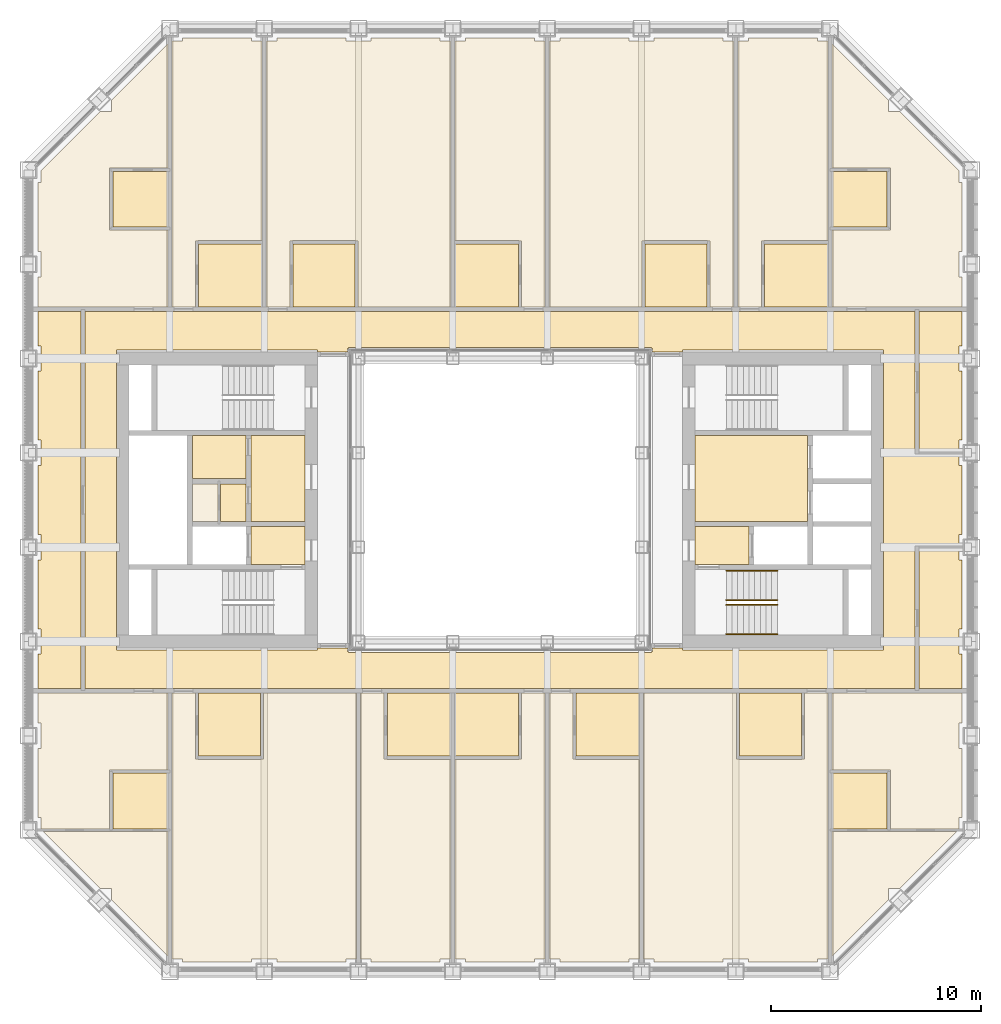
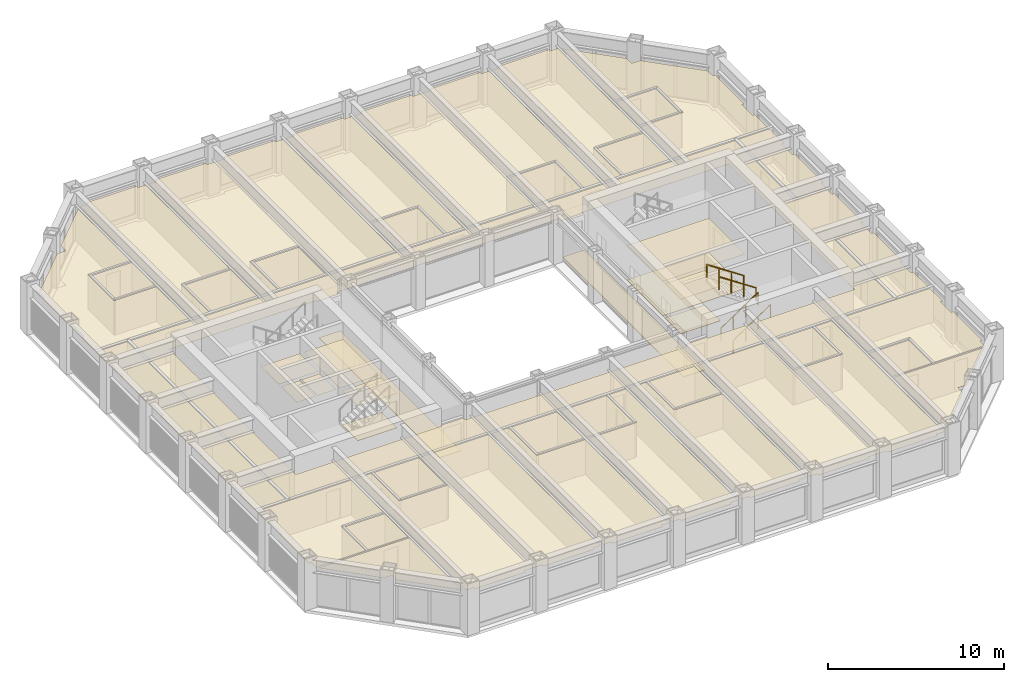
# One storey, part 16 of 17: 5 coverings, 4 railings.
"""IFC4 building model written with IfcOpenShell, lengths in metres."""

import ifcopenshell
import ifcopenshell.guid

model = None  # the IFC model being written
_history = None  # IfcOwnerHistory: only IFC2X3 demands one
_inside = {}  # id of a spatial element -> (the spatial element, [elements in it])
_under = {}  # id of a project, library or spatial element -> (it, [spatial elements below it])
_declared = {}  # id of a project -> (the project, [libraries it declares])
_typed = {}  # id of a type object -> (the type object, [elements of that type])
_made_of = {}  # id of a material, layer set ... -> (it, [elements and type objects made of it])


def new_model(schema):
    """Start an empty IFC model of exactly this schema.

    Asked for "IFC4X3", IfcOpenShell would pick the latest addendum, in which some entities
    have other attributes; the version numbers below select the first issue.
    IFC2X3 requires an IfcOwnerHistory on every rooted entity: one is made here for all.
    """
    global model, _history
    if schema == "IFC4X3":
        model = ifcopenshell.file(schema_version=(4, 3, 0, 0))
    else:
        model = ifcopenshell.file(schema=schema)
    _inside.clear()
    _under.clear()
    _declared.clear()
    _typed.clear()
    _made_of.clear()
    _history = None
    if model.schema == "IFC2X3":
        org = make("IfcOrganization", Name="unknown")
        user = make(
            "IfcPersonAndOrganization",
            ThePerson=make("IfcPerson", FamilyName="unknown"),
            TheOrganization=org,
        )
        app = make(
            "IfcApplication",
            ApplicationDeveloper=org,
            Version="unknown",
            ApplicationFullName="unknown",
            ApplicationIdentifier="unknown",
        )
        _history = make(
            "IfcOwnerHistory",
            OwningUser=user,
            OwningApplication=app,
            ChangeAction="ADDED",
            CreationDate=0,
        )
    return model


def make(cls, **values):
    """One entity of the class cls with the attributes given. An attribute that is None is left unset."""
    return model.create_entity(
        cls, **{name: value for name, value in values.items() if value is not None}
    )


def rooted(cls, **values):
    """An entity with a GlobalId (a new one), such as an element, a storey or a relation."""
    return make(cls, GlobalId=ifcopenshell.guid.new(), OwnerHistory=_history, **values)


def si_unit(unit_type, name, prefix=None):
    """IfcSIUnit, for example si_unit("LENGTHUNIT", "METRE", prefix="MILLI")."""
    return make("IfcSIUnit", UnitType=unit_type, Prefix=prefix, Name=name)


def assignment(units):
    """IfcUnitAssignment: the units of a project."""
    return None if units is None else make("IfcUnitAssignment", Units=units)


def point(xyz):
    """IfcCartesianPoint."""
    return None if xyz is None else make("IfcCartesianPoint", Coordinates=xyz)


def direction(xyz):
    """IfcDirection."""
    return None if xyz is None else make("IfcDirection", DirectionRatios=xyz)


def frame(location, z_axis=None, x_axis=None):
    """IfcAxis2Placement3D, a coordinate frame: its origin and axes. An axis left out is left unset."""
    return make(
        "IfcAxis2Placement3D",
        Location=point(location),
        Axis=direction(z_axis),
        RefDirection=direction(x_axis),
    )


def frame_2d(location, x_axis=None):
    """IfcAxis2Placement2D, a coordinate frame in the plane: its origin and x axis."""
    return make(
        "IfcAxis2Placement2D", Location=point(location), RefDirection=direction(x_axis)
    )


def origin():
    """The frame at (0, 0, 0) with its axes left unset."""
    return frame((0.0, 0.0, 0.0))


def origin_2d():
    """The frame at (0, 0) in the plane with its x axis left unset."""
    return frame_2d((0.0, 0.0))


def place(relative_to, where):
    """IfcLocalPlacement: puts the frame where relative to a parent placement (None: the world)."""
    return make(
        "IfcLocalPlacement", PlacementRelTo=relative_to, RelativePlacement=where
    )


def context(
    kind, dimensions, precision=None, world=None, true_north=None, identifier=None
):
    """IfcGeometricRepresentationContext, for example the 3D "Model" context."""
    return make(
        "IfcGeometricRepresentationContext",
        ContextIdentifier=identifier,
        ContextType=kind,
        CoordinateSpaceDimension=dimensions,
        Precision=precision,
        WorldCoordinateSystem=world,
        TrueNorth=true_north,
    )


def subcontext(parent, identifier, kind, view, scale=None):
    """IfcGeometricRepresentationSubContext, for example "Body" below "Model"."""
    return make(
        "IfcGeometricRepresentationSubContext",
        ContextIdentifier=identifier,
        ContextType=kind,
        ParentContext=parent,
        TargetScale=scale,
        TargetView=view,
    )


def project(units=None, contexts=None):
    """IfcProject with its units and contexts."""
    return rooted(
        "IfcProject",
        Name="project",
        RepresentationContexts=contexts,
        UnitsInContext=assignment(units),
    )


def spatial(cls, under=None, at=None, **own):
    """A site, building, storey or space (cls), placed at a placement, below another one or the project."""
    s = rooted(cls, ObjectPlacement=at, **own)
    if under is not None:
        _under.setdefault(under.id(), (under, []))[1].append(s)
    return s


def point_list(points):
    """IfcCartesianPointList2D or 3D."""
    cls = (
        "IfcCartesianPointList2D" if len(points[0]) == 2 else "IfcCartesianPointList3D"
    )
    return make(cls, CoordList=points)


def line(*indices):
    """IfcLineIndex: a straight run through numbered points of an indexed curve."""
    return model.create_entity("IfcLineIndex", indices)


def indexed_curve(points, segments=None, self_intersect=None):
    """IfcIndexedPolyCurve: lines and arcs through numbered points (the first is 1)."""
    return make(
        "IfcIndexedPolyCurve",
        Points=point_list(points),
        Segments=segments,
        SelfIntersect=self_intersect,
    )


def profile(cls, at=None, kind="AREA", **sizes):
    """A parametric profile (cls). Its sizes go by their IFC names, for example OverallWidth=200.0."""
    return make(cls, ProfileType=kind, Position=at, **sizes)


def circle(**sizes):
    """IfcCircleProfileDef."""
    return profile("IfcCircleProfileDef", **sizes)


def outline(outer, holes=None, kind="AREA"):
    """IfcArbitraryClosedProfileDef: a profile drawn as a closed curve; with holes, ...WithVoids."""
    if holes is None:
        return make("IfcArbitraryClosedProfileDef", ProfileType=kind, OuterCurve=outer)
    return make(
        "IfcArbitraryProfileDefWithVoids",
        ProfileType=kind,
        OuterCurve=outer,
        InnerCurves=holes,
    )


def extrude(swept, where, along, depth):
    """IfcExtrudedAreaSolid: the profile swept, set in the frame where, extruded along a direction by depth."""
    return make(
        "IfcExtrudedAreaSolid",
        SweptArea=swept,
        Position=where,
        ExtrudedDirection=direction(along),
        Depth=depth,
    )


def shape(context_of_items, identifier, shape_type, items):
    """IfcShapeRepresentation: the items that make up one representation, for example the "Body"."""
    return make(
        "IfcShapeRepresentation",
        ContextOfItems=context_of_items,
        RepresentationIdentifier=identifier,
        RepresentationType=shape_type,
        Items=items,
    )


def material(Name=None, Category=None):
    """IfcMaterial."""
    return make("IfcMaterial", Name=Name, Category=Category)


def layer(
    of_material, thickness, ventilated=None, Name=None, Category=None, Priority=None
):
    """IfcMaterialLayer: one layer of a wall or slab, of a material (None: an air gap)."""
    return make(
        "IfcMaterialLayer",
        Material=of_material,
        LayerThickness=thickness,
        IsVentilated=ventilated,
        Name=Name,
        Category=Category,
        Priority=Priority,
    )


def layer_set(layers, Name=None):
    """IfcMaterialLayerSet."""
    return make("IfcMaterialLayerSet", MaterialLayers=layers, LayerSetName=Name)


def made_of(thing, what):
    """Note that an element or type object is made of a material, layer set ...; save() writes the relation."""
    if what is not None:
        _made_of.setdefault(what.id(), (what, []))[1].append(thing)
    return thing


def type_object(cls, material=None, **own):
    """A type object (cls), such as IfcWallType, which elements share."""
    return made_of(rooted(cls, **own), material)


def element(
    cls,
    number,
    at=None,
    inside=None,
    cuts=None,
    type_object=None,
    material=None,
    context=None,
    identifier="Body",
    shape_type=None,
    held_by="IfcProductDefinitionShape",
    body=None,
    shapes=None,
    **own,
):
    """One element of the class cls, such as IfcWall. Its Tag is "e" and its number.

    at: its placement. inside: the storey or other place that contains it. cuts: it is an
    opening in that element (IfcRelVoidsElement). A single representation is given by context,
    identifier, shape_type and body (its items); several are given by shapes. held_by: the class
    of the entity that holds the representations. save() writes the other relations.
    """
    e = rooted(cls, Tag="e%d" % number, ObjectPlacement=at, **own)
    if body is not None:
        shapes = [shape(context, identifier, shape_type, body)]
    if shapes is not None:
        e.Representation = make(held_by, Representations=shapes)
    if inside is not None:
        _inside.setdefault(inside.id(), (inside, []))[1].append(e)
    if cuts is not None:
        rooted(
            "IfcRelVoidsElement", RelatingBuildingElement=cuts, RelatedOpeningElement=e
        )
    if type_object is not None:
        _typed.setdefault(type_object.id(), (type_object, []))[1].append(e)
    return made_of(e, material)


def aggregate(whole, parts):
    """IfcRelAggregates: a whole, such as a stair, and the parts it consists of."""
    return rooted("IfcRelAggregates", RelatingObject=whole, RelatedObjects=parts)


def save(model, path):
    """Write the relations noted so far, then the file.

    IfcRelAggregates (storeys below a building ...), IfcRelContainedInSpatialStructure (elements
    in a storey), IfcRelDefinesByType, IfcRelAssociatesMaterial and IfcRelDeclares: one each for
    every whole, place, type object, material and project.
    """
    for whole, parts in _under.values():
        aggregate(whole, parts)
    for where, things in _inside.values():
        rooted(
            "IfcRelContainedInSpatialStructure",
            RelatedElements=things,
            RelatingStructure=where,
        )
    for kind, things in _typed.values():
        rooted("IfcRelDefinesByType", RelatedObjects=things, RelatingType=kind)
    for what, things in _made_of.values():
        rooted("IfcRelAssociatesMaterial", RelatedObjects=things, RelatingMaterial=what)
    for by, libraries in _declared.values():
        rooted("IfcRelDeclares", RelatingContext=by, RelatedDefinitions=libraries)
    model.write(path)


model = new_model("IFC4")

# Units and contexts
model_context = context("Model", 3, precision=1e-05, world=origin(), true_north=direction((0.0, 1.0)))
body_context = subcontext(model_context, "Body", "Model", "MODEL_VIEW")
ifc_project = project(units=[si_unit("LENGTHUNIT", "METRE"), si_unit("AREAUNIT", "SQUARE_METRE"), si_unit("VOLUMEUNIT", "CUBIC_METRE"), si_unit("PLANEANGLEUNIT", "RADIAN"), si_unit("MASSUNIT", "GRAM", prefix="KILO")], contexts=[model_context])

# Site, building, storey
site_placement = place(None, origin())
site = spatial("IfcSite", under=ifc_project, at=site_placement, CompositionType="ELEMENT")
building_placement = place(site_placement, origin())
building = spatial("IfcBuilding", under=site, at=building_placement, Name="Msasa Ring Tower", CompositionType="ELEMENT")
storey_placement = place(building_placement, frame((0.0, 0.0, 150.800048828125)))
storey = spatial("IfcBuildingStorey", under=building, at=storey_placement, Name="L39", CompositionType="ELEMENT", Elevation=150.800048828125)

# Coverings
ifc_material_1 = material(Name="Gypsum plasterboard on a steel suspension grid", Category="steel")
ifc_layer_1 = layer(ifc_material_1, 0.014892578125)
ifc_layer_set_1 = layer_set([ifc_layer_1], Name="C1 SUSPENDED PLASTERBOARD CEILING 15")
covering_type_1 = type_object("IfcCoveringType", Name="C1 SUSPENDED PLASTERBOARD CEILING 15", PredefinedType="CEILING", material=ifc_layer_set_1)
covering_1_placement = place(storey_placement, frame((0.0, 0.0, 2.39990234375)))
element("IfcCovering", 1, at=covering_1_placement, inside=storey, type_object=covering_type_1, Name="Suspended Plasterboard Ceiling 15 circulation L39", PredefinedType="CEILING", context=body_context, shape_type="SweptSolid", body=[
    extrude(outline(indexed_curve([(19.799560546875, 2.199462890625), (21.8994140625, 2.199462890625), (21.8994140625, 1.6494140625), (22.049560546875, 1.6494140625), (22.049560546875, -1.6494140625), (21.8994140625, -1.6494140625), (21.8994140625, -2.199462890625), (19.799560546875, -2.199462890625), (19.799560546875, -8.99951171875), (-19.799560546875, -8.99951171875), (-19.799560546875, 8.99951171875), (19.799560546875, 8.99951171875)], segments=[line(1, 2, 3, 4, 5, 6, 7, 8, 9, 10, 11, 12, 1)], self_intersect=False), holes=[indexed_curve([(8.699462890625, -7.150390625), (18.300537109375, -7.150390625), (18.300537109375, 7.150390625), (8.699462890625, 7.150390625), (8.699462890625, 7.050537109375), (7.280029296875, 7.050537109375), (7.280517578125, 7.23046875), (7.22998046875, 7.23046875), (7.22998046875, 7.280029296875), (-7.22998046875, 7.280029296875), (-7.22998046875, 7.23046875), (-7.280517578125, 7.23046875), (-7.280029296875, 7.050537109375), (-8.699462890625, 7.050537109375), (-8.699462890625, 7.150390625), (-18.300537109375, 7.150390625), (-18.300537109375, -7.150390625), (-8.699462890625, -7.150390625), (-8.699462890625, -7.050537109375), (-7.280029296875, -7.050537109375), (-7.280517578125, -7.23046875), (-7.22998046875, -7.23046875), (-7.22998046875, -7.280029296875), (7.22998046875, -7.280029296875), (7.22998046875, -7.23046875), (7.280517578125, -7.23046875), (7.280029296875, -7.050537109375), (8.699462890625, -7.050537109375)], segments=[line(1, 2, 3, 4, 5, 6, 7, 8, 9, 10, 11, 12, 13, 14, 15, 16, 17, 18, 19, 20, 21, 22, 23, 24, 25, 26, 27, 28, 1)], self_intersect=False)]), origin(), (0.0, 0.0, 1.0), 0.01513671875),
    extrude(outline(indexed_curve([(-9.300537109375, -3.074462890625), (-11.87451171875, -3.074462890625), (-11.87451171875, -1.275390625), (-9.300537109375, -1.275390625)], segments=[line(1, 2, 3, 4, 1)], self_intersect=False)), origin(), (0.0, 0.0, 1.0), 0.01513671875),
    extrude(outline(indexed_curve([(11.87451171875, -3.074462890625), (9.300537109375, -3.074462890625), (9.300537109375, -1.275390625), (11.87451171875, -1.275390625)], segments=[line(1, 2, 3, 4, 1)], self_intersect=False)), origin(), (0.0, 0.0, 1.0), 0.01513671875),
    extrude(outline(indexed_curve([(14.674560546875, -1.0244140625), (9.300537109375, -1.0244140625), (9.300537109375, 3.074462890625), (14.674560546875, 3.074462890625)], segments=[line(1, 2, 3, 4, 1)], self_intersect=False)), origin(), (0.0, 0.0, 1.0), 0.01513671875),
])
covering_2_placement = place(storey_placement, frame((0.0, 0.0, 2.407958984375)))
element("IfcCovering", 2, at=covering_2_placement, inside=storey, type_object=covering_type_1, Name="Suspended Plasterboard Ceiling 15 L39", PredefinedType="CEILING", context=body_context, shape_type="SweptSolid", body=[
    extrude(outline(indexed_curve([(-22.049560546875, -11.8505859375), (-21.8994140625, -11.8505859375), (-21.8994140625, -10.6494140625), (-22.049560546875, -10.6494140625), (-22.049560546875, -9.200439453125), (-15.8505859375, -9.200439453125), (-15.8505859375, -12.869384765625), (-18.630615234375, -12.869384765625), (-18.630615234375, -15.694580078125), (-21.8994140625, -15.694580078125), (-21.8994140625, -15.1494140625), (-22.049560546875, -15.1494140625)], segments=[line(1, 2, 3, 4, 5, 6, 7, 8, 9, 10, 11, 12, 1)], self_intersect=False)), origin(), (0.0, 0.0, 1.0), 0.014892578125),
    extrude(outline(indexed_curve([(-18.630615234375, 12.869384765625), (-15.8505859375, 12.869384765625), (-15.8505859375, 9.200439453125), (-22.049560546875, 9.200439453125), (-22.049560546875, 10.6494140625), (-21.8994140625, 10.6494140625), (-21.8994140625, 11.8505859375), (-22.049560546875, 11.8505859375), (-22.049560546875, 15.1494140625), (-21.8994140625, 15.1494140625), (-21.8994140625, 15.71337890625), (-19.08837890625, 18.5244140625), (-18.5244140625, 18.5244140625), (-18.5244140625, 19.08837890625), (-15.8505859375, 21.762451171875), (-15.8505859375, 15.83056640625), (-18.630615234375, 15.83056640625)], segments=[line(1, 2, 3, 4, 5, 6, 7, 8, 9, 10, 11, 12, 13, 14, 15, 16, 17, 1)], self_intersect=False)), origin(), (0.0, 0.0, 1.0), 0.014892578125),
    extrude(outline(indexed_curve([(-18.5244140625, -19.08837890625), (-18.5244140625, -18.5244140625), (-19.08837890625, -18.5244140625), (-21.807373046875, -15.805419921875), (-15.8505859375, -15.805419921875), (-15.8505859375, -21.762451171875)], segments=[line(1, 2, 3, 4, 5, 6, 1)], self_intersect=False)), origin(), (0.0, 0.0, 1.0), 0.014892578125),
    extrude(outline(indexed_curve([(-14.525390625, -12.35009765625), (-14.39990234375, -12.3505859375), (-14.39990234375, -12.37548828125), (-11.39990234375, -12.37548828125), (-11.39990234375, -12.3505859375), (-11.2744140625, -12.35009765625), (-11.2744140625, -9.200439453125), (-6.8505859375, -9.200439453125), (-6.8505859375, -21.8994140625), (-7.3505859375, -21.8994140625), (-7.3505859375, -22.049560546875), (-10.6494140625, -22.049560546875), (-10.6494140625, -21.8994140625), (-11.8505859375, -21.8994140625), (-11.8505859375, -22.049560546875), (-15.1494140625, -22.049560546875), (-15.1494140625, -21.8994140625), (-15.6494140625, -21.8994140625), (-15.6494140625, -9.200439453125), (-14.525390625, -9.200439453125)], segments=[line(1, 2, 3, 4, 5, 6, 7, 8, 9, 10, 11, 12, 13, 14, 15, 16, 17, 18, 19, 20, 1)], self_intersect=False)), origin(), (0.0, 0.0, 1.0), 0.014892578125),
    extrude(outline(indexed_curve([(-14.39990234375, 12.3505859375), (-14.525390625, 12.35009765625), (-14.525390625, 9.200439453125), (-15.6494140625, 9.200439453125), (-15.6494140625, 21.8994140625), (-15.1494140625, 21.8994140625), (-15.1494140625, 22.049560546875), (-11.8505859375, 22.049560546875), (-11.8505859375, 21.8994140625), (-11.3505859375, 21.8994140625), (-11.3505859375, 12.37548828125), (-14.39990234375, 12.37548828125)], segments=[line(1, 2, 3, 4, 5, 6, 7, 8, 9, 10, 11, 12, 1)], self_intersect=False)), origin(), (0.0, 0.0, 1.0), 0.014892578125),
    extrude(outline(indexed_curve([(-14.674560546875, 0.7744140625), (-13.45556640625, 0.7744140625), (-13.45556640625, -1.0244140625), (-14.674560546875, -1.0244140625)], segments=[line(1, 2, 3, 4, 1)], self_intersect=False)), origin(), (0.0, 0.0, 1.0), 0.014892578125),
    extrude(outline(indexed_curve([(-6.89990234375, 12.3505859375), (-6.89990234375, 12.37548828125), (-9.89990234375, 12.37548828125), (-9.89990234375, 12.3505859375), (-10.025390625, 12.35009765625), (-10.025390625, 9.200439453125), (-11.1494140625, 9.200439453125), (-11.1494140625, 21.8994140625), (-10.6494140625, 21.8994140625), (-10.6494140625, 22.049560546875), (-7.3505859375, 22.049560546875), (-7.3505859375, 21.8994140625), (-6.1494140625, 21.8994140625), (-6.1494140625, 22.049560546875), (-2.8505859375, 22.049560546875), (-2.8505859375, 21.8994140625), (-2.3505859375, 21.8994140625), (-2.3505859375, 9.200439453125), (-6.7744140625, 9.200439453125), (-6.7744140625, 12.35009765625)], segments=[line(1, 2, 3, 4, 5, 6, 7, 8, 9, 10, 11, 12, 13, 14, 15, 16, 17, 18, 19, 20, 1)], self_intersect=False)), origin(), (0.0, 0.0, 1.0), 0.014892578125),
    extrude(outline(indexed_curve([(-6.1494140625, -22.049560546875), (-6.1494140625, -21.8994140625), (-6.6494140625, -21.8994140625), (-6.6494140625, -9.200439453125), (-5.525390625, -9.200439453125), (-5.525390625, -12.35009765625), (-5.39990234375, -12.3505859375), (-5.39990234375, -12.37548828125), (-2.3505859375, -12.37548828125), (-2.3505859375, -21.8994140625), (-2.8505859375, -21.8994140625), (-2.8505859375, -22.049560546875)], segments=[line(1, 2, 3, 4, 5, 6, 7, 8, 9, 10, 11, 12, 1)], self_intersect=False)), origin(), (0.0, 0.0, 1.0), 0.014892578125),
    extrude(outline(indexed_curve([(2.1494140625, -9.200439453125), (2.1494140625, -21.8994140625), (1.6494140625, -21.8994140625), (1.6494140625, -22.049560546875), (-1.6494140625, -22.049560546875), (-1.6494140625, -21.8994140625), (-2.1494140625, -21.8994140625), (-2.1494140625, -12.37548828125), (0.89990234375, -12.37548828125), (0.89990234375, -12.3505859375), (1.025390625, -12.35009765625), (1.025390625, -9.200439453125)], segments=[line(1, 2, 3, 4, 5, 6, 7, 8, 9, 10, 11, 12, 1)], self_intersect=False)), origin(), (0.0, 0.0, 1.0), 0.014892578125),
    extrude(outline(indexed_curve([(1.6494140625, 22.049560546875), (1.6494140625, 21.8994140625), (2.1494140625, 21.8994140625), (2.1494140625, 9.200439453125), (1.025390625, 9.200439453125), (1.025390625, 12.35009765625), (0.89990234375, 12.3505859375), (0.89990234375, 12.37548828125), (-2.1494140625, 12.37548828125), (-2.1494140625, 21.8994140625), (-1.6494140625, 21.8994140625), (-1.6494140625, 22.049560546875)], segments=[line(1, 2, 3, 4, 5, 6, 7, 8, 9, 10, 11, 12, 1)], self_intersect=False)), origin(), (0.0, 0.0, 1.0), 0.014892578125),
    extrude(outline(indexed_curve([(2.8505859375, -22.049560546875), (2.8505859375, -21.8994140625), (2.3505859375, -21.8994140625), (2.3505859375, -9.200439453125), (3.474609375, -9.200439453125), (3.474609375, -12.35009765625), (3.60009765625, -12.3505859375), (3.60009765625, -12.37548828125), (6.6494140625, -12.37548828125), (6.6494140625, -21.8994140625), (6.1494140625, -21.8994140625), (6.1494140625, -22.049560546875)], segments=[line(1, 2, 3, 4, 5, 6, 7, 8, 9, 10, 11, 12, 1)], self_intersect=False)), origin(), (0.0, 0.0, 1.0), 0.014892578125),
    extrude(outline(indexed_curve([(6.89990234375, 12.3505859375), (6.7744140625, 12.35009765625), (6.7744140625, 9.200439453125), (2.3505859375, 9.200439453125), (2.3505859375, 21.8994140625), (2.8505859375, 21.8994140625), (2.8505859375, 22.049560546875), (6.1494140625, 22.049560546875), (6.1494140625, 21.8994140625), (7.3505859375, 21.8994140625), (7.3505859375, 22.049560546875), (10.6494140625, 22.049560546875), (10.6494140625, 21.8994140625), (11.1494140625, 21.8994140625), (11.1494140625, 9.200439453125), (10.025390625, 9.200439453125), (10.025390625, 12.35009765625), (9.89990234375, 12.3505859375), (9.89990234375, 12.37548828125), (6.89990234375, 12.37548828125)], segments=[line(1, 2, 3, 4, 5, 6, 7, 8, 9, 10, 11, 12, 13, 14, 15, 16, 17, 18, 19, 20, 1)], self_intersect=False)), origin(), (0.0, 0.0, 1.0), 0.014892578125),
    extrude(outline(indexed_curve([(11.2744140625, -12.35009765625), (11.39990234375, -12.3505859375), (11.39990234375, -12.37548828125), (14.39990234375, -12.37548828125), (14.39990234375, -12.3505859375), (14.525390625, -12.35009765625), (14.525390625, -9.200439453125), (15.6494140625, -9.200439453125), (15.6494140625, -21.8994140625), (15.1494140625, -21.8994140625), (15.1494140625, -22.049560546875), (11.8505859375, -22.049560546875), (11.8505859375, -21.8994140625), (10.6494140625, -21.8994140625), (10.6494140625, -22.049560546875), (7.3505859375, -22.049560546875), (7.3505859375, -21.8994140625), (6.8505859375, -21.8994140625), (6.8505859375, -9.200439453125), (11.2744140625, -9.200439453125)], segments=[line(1, 2, 3, 4, 5, 6, 7, 8, 9, 10, 11, 12, 13, 14, 15, 16, 17, 18, 19, 20, 1)], self_intersect=False)), origin(), (0.0, 0.0, 1.0), 0.014892578125),
    extrude(outline(indexed_curve([(11.3505859375, 9.200439453125), (11.3505859375, 21.8994140625), (11.8505859375, 21.8994140625), (11.8505859375, 22.049560546875), (15.1494140625, 22.049560546875), (15.1494140625, 21.8994140625), (15.6494140625, 21.8994140625), (15.6494140625, 12.37548828125), (12.60009765625, 12.37548828125), (12.60009765625, 12.3505859375), (12.474609375, 12.35009765625), (12.474609375, 9.200439453125)], segments=[line(1, 2, 3, 4, 5, 6, 7, 8, 9, 10, 11, 12, 1)], self_intersect=False)), origin(), (0.0, 0.0, 1.0), 0.014892578125),
    extrude(outline(indexed_curve([(19.08837890625, -18.5244140625), (18.5244140625, -18.5244140625), (18.5244140625, -19.08837890625), (15.8505859375, -21.762451171875), (15.8505859375, -15.805419921875), (21.807373046875, -15.805419921875)], segments=[line(1, 2, 3, 4, 5, 6, 1)], self_intersect=False)), origin(), (0.0, 0.0, 1.0), 0.014892578125),
    extrude(outline(indexed_curve([(15.8505859375, -12.869384765625), (15.8505859375, -9.200439453125), (22.049560546875, -9.200439453125), (22.049560546875, -10.6494140625), (21.8994140625, -10.6494140625), (21.8994140625, -11.8505859375), (22.049560546875, -11.8505859375), (22.049560546875, -15.1494140625), (21.8994140625, -15.1494140625), (21.8994140625, -15.694580078125), (18.630615234375, -15.694580078125), (18.630615234375, -12.869384765625)], segments=[line(1, 2, 3, 4, 5, 6, 7, 8, 9, 10, 11, 12, 1)], self_intersect=False)), origin(), (0.0, 0.0, 1.0), 0.014892578125),
    extrude(outline(indexed_curve([(15.8505859375, 21.762451171875), (18.5244140625, 19.08837890625), (18.5244140625, 18.5244140625), (19.08837890625, 18.5244140625), (21.8994140625, 15.71337890625), (21.8994140625, 15.1494140625), (22.049560546875, 15.1494140625), (22.049560546875, 11.8505859375), (21.8994140625, 11.8505859375), (21.8994140625, 10.6494140625), (22.049560546875, 10.6494140625), (22.049560546875, 9.200439453125), (15.8505859375, 9.200439453125), (15.8505859375, 12.869384765625), (18.630615234375, 12.869384765625), (18.630615234375, 15.83056640625), (15.8505859375, 15.83056640625)], segments=[line(1, 2, 3, 4, 5, 6, 7, 8, 9, 10, 11, 12, 13, 14, 15, 16, 17, 1)], self_intersect=False)), origin(), (0.0, 0.0, 1.0), 0.014892578125),
])
ifc_material_2 = material(Name="Moisture-resistant gypsum plasterboard on a steel suspension grid", Category="steel")
ifc_layer_2 = layer(ifc_material_2, 0.014892578125)
ifc_layer_set_2 = layer_set([ifc_layer_2], Name="C2 MOISTURE-RESISTANT PLASTERBOARD CEILING 15")
covering_type_2 = type_object("IfcCoveringType", Name="C2 MOISTURE-RESISTANT PLASTERBOARD CEILING 15", PredefinedType="CEILING", material=ifc_layer_set_2)
covering_3_placement = place(storey_placement, frame((0.0, 0.0, 2.39990234375)))
element("IfcCovering", 3, at=covering_3_placement, inside=storey, type_object=covering_type_2, Name="Moisture-Resistant Plasterboard Ceiling 15 L39", PredefinedType="CEILING", context=body_context, shape_type="SweptSolid", body=[
    extrude(outline(indexed_curve([(-18.469482421875, -15.694580078125), (-18.469482421875, -13.030517578125), (-15.8505859375, -13.030517578125), (-15.8505859375, -15.694580078125)], segments=[line(1, 2, 3, 4, 1)], self_intersect=False)), origin(), (0.0, 0.0, 1.0), 0.01513671875),
    extrude(outline(indexed_curve([(-18.469482421875, 15.66943359375), (-15.8505859375, 15.66943359375), (-15.8505859375, 13.030517578125), (-18.469482421875, 13.030517578125)], segments=[line(1, 2, 3, 4, 1)], self_intersect=False)), origin(), (0.0, 0.0, 1.0), 0.01513671875),
    extrude(outline(indexed_curve([(-11.425537109375, -9.200439453125), (-11.425537109375, -12.224609375), (-14.37451171875, -12.224609375), (-14.37451171875, -9.200439453125)], segments=[line(1, 2, 3, 4, 1)], self_intersect=False)), origin(), (0.0, 0.0, 1.0), 0.01513671875),
    extrude(outline(indexed_curve([(-11.3505859375, 9.200439453125), (-14.37451171875, 9.200439453125), (-14.37451171875, 12.224609375), (-11.3505859375, 12.224609375)], segments=[line(1, 2, 3, 4, 1)], self_intersect=False)), origin(), (0.0, 0.0, 1.0), 0.01513671875),
    extrude(outline(indexed_curve([(-9.87451171875, 9.200439453125), (-9.87451171875, 12.224609375), (-6.925537109375, 12.224609375), (-6.925537109375, 9.200439453125)], segments=[line(1, 2, 3, 4, 1)], self_intersect=False)), origin(), (0.0, 0.0, 1.0), 0.01513671875),
    extrude(outline(indexed_curve([(-2.3505859375, -9.200439453125), (-2.3505859375, -12.224609375), (-5.37451171875, -12.224609375), (-5.37451171875, -9.200439453125)], segments=[line(1, 2, 3, 4, 1)], self_intersect=False)), origin(), (0.0, 0.0, 1.0), 0.01513671875),
    extrude(outline(indexed_curve([(-2.1494140625, -9.200439453125), (0.87451171875, -9.200439453125), (0.87451171875, -12.224609375), (-2.1494140625, -12.224609375)], segments=[line(1, 2, 3, 4, 1)], self_intersect=False)), origin(), (0.0, 0.0, 1.0), 0.01513671875),
    extrude(outline(indexed_curve([(-2.1494140625, 12.224609375), (0.87451171875, 12.224609375), (0.87451171875, 9.200439453125), (-2.1494140625, 9.200439453125)], segments=[line(1, 2, 3, 4, 1)], self_intersect=False)), origin(), (0.0, 0.0, 1.0), 0.01513671875),
    extrude(outline(indexed_curve([(6.6494140625, -9.200439453125), (6.6494140625, -12.224609375), (3.62548828125, -12.224609375), (3.62548828125, -9.200439453125)], segments=[line(1, 2, 3, 4, 1)], self_intersect=False)), origin(), (0.0, 0.0, 1.0), 0.01513671875),
    extrude(outline(indexed_curve([(6.925537109375, 9.200439453125), (6.925537109375, 12.224609375), (9.87451171875, 12.224609375), (9.87451171875, 9.200439453125)], segments=[line(1, 2, 3, 4, 1)], self_intersect=False)), origin(), (0.0, 0.0, 1.0), 0.01513671875),
    extrude(outline(indexed_curve([(14.37451171875, -9.200439453125), (14.37451171875, -12.224609375), (11.425537109375, -12.224609375), (11.425537109375, -9.200439453125)], segments=[line(1, 2, 3, 4, 1)], self_intersect=False)), origin(), (0.0, 0.0, 1.0), 0.01513671875),
    extrude(outline(indexed_curve([(15.6494140625, 9.200439453125), (12.62548828125, 9.200439453125), (12.62548828125, 12.224609375), (15.6494140625, 12.224609375)], segments=[line(1, 2, 3, 4, 1)], self_intersect=False)), origin(), (0.0, 0.0, 1.0), 0.01513671875),
    extrude(outline(indexed_curve([(15.8505859375, -15.694580078125), (15.8505859375, -13.030517578125), (18.469482421875, -13.030517578125), (18.469482421875, -15.694580078125)], segments=[line(1, 2, 3, 4, 1)], self_intersect=False)), origin(), (0.0, 0.0, 1.0), 0.01513671875),
    extrude(outline(indexed_curve([(15.8505859375, 15.66943359375), (18.469482421875, 15.66943359375), (18.469482421875, 13.030517578125), (15.8505859375, 13.030517578125)], segments=[line(1, 2, 3, 4, 1)], self_intersect=False)), origin(), (0.0, 0.0, 1.0), 0.01513671875),
])
ifc_material_3 = material(Name="Mineral fibre ceiling tiles on an exposed steel grid", Category="steel")
ifc_layer_3 = layer(ifc_material_3, 0.02001953125)
ifc_layer_set_3 = layer_set([ifc_layer_3], Name="C3 ACOUSTIC MINERAL FIBRE TILE CEILING 20")
covering_type_3 = type_object("IfcCoveringType", Name="C3 ACOUSTIC MINERAL FIBRE TILE CEILING 20", PredefinedType="CEILING", material=ifc_layer_set_3)
covering_4_placement = place(storey_placement, frame((0.0, 0.0, 2.408935546875)))
element("IfcCovering", 4, at=covering_4_placement, inside=storey, type_object=covering_type_3, Name="Acoustic Mineral Fibre Tile Ceiling 20 L39", PredefinedType="CEILING", context=body_context, shape_type="SweptSolid", body=[
    extrude(outline(indexed_curve([(-20.00048828125, 8.99951171875), (-20.00048828125, -8.99951171875), (-22.049560546875, -8.99951171875), (-22.049560546875, -7.3505859375), (-21.8994140625, -7.3505859375), (-21.8994140625, -6.1494140625), (-22.049560546875, -6.1494140625), (-22.049560546875, -2.8505859375), (-21.8994140625, -2.8505859375), (-21.8994140625, -1.6494140625), (-22.049560546875, -1.6494140625), (-22.049560546875, 1.6494140625), (-21.8994140625, 1.6494140625), (-21.8994140625, 2.8505859375), (-22.049560546875, 2.8505859375), (-22.049560546875, 6.1494140625), (-21.8994140625, 6.1494140625), (-21.8994140625, 7.3505859375), (-22.049560546875, 7.3505859375), (-22.049560546875, 8.99951171875)], segments=[line(1, 2, 3, 4, 5, 6, 7, 8, 9, 10, 11, 12, 13, 14, 15, 16, 17, 18, 19, 20, 1)], self_intersect=False)), origin(), (0.0, 0.0, 1.0), 0.02001953125),
    extrude(outline(indexed_curve([(-14.674560546875, 3.074462890625), (-12.12548828125, 3.074462890625), (-12.12548828125, 1.025390625), (-14.674560546875, 1.025390625)], segments=[line(1, 2, 3, 4, 1)], self_intersect=False)), origin(), (0.0, 0.0, 1.0), 0.02001953125),
    extrude(outline(indexed_curve([(-13.344482421875, -1.0244140625), (-13.344482421875, 0.7744140625), (-12.12548828125, 0.7744140625), (-12.12548828125, -1.0244140625)], segments=[line(1, 2, 3, 4, 1)], self_intersect=False)), origin(), (0.0, 0.0, 1.0), 0.02001953125),
    extrude(outline(indexed_curve([(-9.300537109375, -1.0244140625), (-11.87451171875, -1.0244140625), (-11.87451171875, 3.074462890625), (-9.300537109375, 3.074462890625)], segments=[line(1, 2, 3, 4, 1)], self_intersect=False)), origin(), (0.0, 0.0, 1.0), 0.02001953125),
    extrude(outline(indexed_curve([(21.8994140625, -2.305419921875), (21.8994140625, -2.8505859375), (22.049560546875, -2.8505859375), (22.049560546875, -6.1494140625), (21.8994140625, -6.1494140625), (21.8994140625, -7.3505859375), (22.049560546875, -7.3505859375), (22.049560546875, -8.99951171875), (20.00048828125, -8.99951171875), (20.00048828125, -2.305419921875)], segments=[line(1, 2, 3, 4, 5, 6, 7, 8, 9, 10, 1)], self_intersect=False)), origin(), (0.0, 0.0, 1.0), 0.02001953125),
    extrude(outline(indexed_curve([(22.049560546875, 7.3505859375), (21.8994140625, 7.3505859375), (21.8994140625, 6.1494140625), (22.049560546875, 6.1494140625), (22.049560546875, 2.8505859375), (21.8994140625, 2.8505859375), (21.8994140625, 2.305419921875), (20.00048828125, 2.305419921875), (20.00048828125, 8.99951171875), (22.049560546875, 8.99951171875)], segments=[line(1, 2, 3, 4, 5, 6, 7, 8, 9, 10, 1)], self_intersect=False)), origin(), (0.0, 0.0, 1.0), 0.02001953125),
])
ifc_material_4 = material(Name="Honed granite tiles on a mortar bed", Category="masonry")
ifc_layer_4 = layer(ifc_material_4, 0.030029296875)
ifc_layer_set_4 = layer_set([ifc_layer_4], Name="F1 HONED GRANITE ON BEDDING 30")
covering_type_4 = type_object("IfcCoveringType", Name="F1 HONED GRANITE ON BEDDING 30", PredefinedType="FLOORING", material=ifc_layer_set_4)
covering_5_placement = place(storey_placement, origin())
element("IfcCovering", 5, at=covering_5_placement, inside=storey, type_object=covering_type_4, Name="Honed Granite On Bedding 30 L39", PredefinedType="FLOORING", context=body_context, shape_type="SweptSolid", body=[
    extrude(outline(indexed_curve([(-11.87451171875, -3.074462890625), (-11.87451171875, -1.275390625), (-9.300537109375, -1.275390625), (-9.300537109375, -3.074462890625)], segments=[line(1, 2, 3, 4, 1)], self_intersect=False)), origin(), (0.0, 0.0, 1.0), 0.030029296875),
    extrude(outline(indexed_curve([(-8.699462890625, -6.849609375), (-8.699462890625, 6.849609375), (-7.280029296875, 6.849609375), (-7.280029296875, -6.849609375)], segments=[line(1, 2, 3, 4, 1)], self_intersect=False)), origin(), (0.0, 0.0, 1.0), 0.030029296875),
    extrude(outline(indexed_curve([(8.699462890625, 6.849609375), (8.699462890625, -6.849609375), (7.280029296875, -6.849609375), (7.280029296875, 6.849609375)], segments=[line(1, 2, 3, 4, 1)], self_intersect=False)), origin(), (0.0, 0.0, 1.0), 0.030029296875),
    extrude(outline(indexed_curve([(9.300537109375, -3.074462890625), (9.300537109375, -1.275390625), (11.87451171875, -1.275390625), (11.87451171875, -3.074462890625)], segments=[line(1, 2, 3, 4, 1)], self_intersect=False)), origin(), (0.0, 0.0, 1.0), 0.030029296875),
    extrude(outline(indexed_curve([(9.300537109375, 3.074462890625), (14.674560546875, 3.074462890625), (14.674560546875, -1.0244140625), (9.300537109375, -1.0244140625)], segments=[line(1, 2, 3, 4, 1)], self_intersect=False)), origin(), (0.0, 0.0, 1.0), 0.030029296875),
])

# Railings
ifc_material_5 = material(Name="Stainless steel", Category="steel")
railing_type = type_object("IfcRailingType", Name="HR1 HANDRAIL 900", PredefinedType="HANDRAIL", material=ifc_material_5)
for number, where, name in (
    (6, (10.800048828125, -6.39990234375, 0.179931640625), "Handrail stair SEA L39 1"),
    (7, (10.800048828125, -5.0, 0.179931640625), "Handrail stair SEA L39 2"),
):
    element("IfcRailing", number, at=place(storey_placement, frame(where)), inside=storey, type_object=railing_type, Name=name, PredefinedType="HANDRAIL", context=body_context, shape_type="SweptSolid", body=[
        extrude(circle(Radius=0.02392578125, at=origin_2d()), frame((0.0, 0.0, 0.8759765625), z_axis=(0.832024571796, 0.0, 0.554738778101), x_axis=(0.0, 1.0, 0.0)), (0.0, 0.0, 1.0), 2.92041015625),
        extrude(circle(Radius=0.02099609375, at=origin_2d()), origin(), (0.0, 0.0, 1.0), 0.851806640625),
        extrude(circle(Radius=0.02099609375, at=origin_2d()), frame((0.81005859375, 0.0, 0.5400390625)), (0.0, 0.0, 1.0), 0.851806640625),
        extrude(circle(Radius=0.02099609375, at=origin_2d()), frame((1.619873046875, 0.0, 1.080078125)), (0.0, 0.0, 1.0), 0.851806640625),
        extrude(circle(Radius=0.02099609375, at=origin_2d()), frame((2.429931640625, 0.0, 1.6201171875)), (0.0, 0.0, 1.0), 0.851806640625),
    ])
for number, where, name in (
    (8, (13.22998046875, -4.77490234375, 1.97998046875), "Handrail stair SEA L39 3"),
    (9, (13.22998046875, -3.375, 1.97998046875), "Handrail stair SEA L39 4"),
):
    element("IfcRailing", number, at=place(storey_placement, frame(where)), inside=storey, type_object=railing_type, Name=name, PredefinedType="HANDRAIL", context=body_context, shape_type="SweptSolid", body=[
        extrude(circle(Radius=0.02392578125, at=origin_2d()), frame((0.0, 0.0, 0.8759765625), z_axis=(-0.832063155534, 0.0, 0.554680903946), x_axis=(0.0, -1.0, 0.0)), (0.0, 0.0, 1.0), 2.92041015625),
        extrude(circle(Radius=0.02099609375, at=origin_2d()), origin(), (0.0, 0.0, 1.0), 0.851806640625),
        extrude(circle(Radius=0.02099609375, at=origin_2d()), frame((-0.81005859375, 0.0, 0.5400390625)), (0.0, 0.0, 1.0), 0.851806640625),
        extrude(circle(Radius=0.02099609375, at=origin_2d()), frame((-1.619873046875, 0.0, 1.079833984375)), (0.0, 0.0, 1.0), 0.851806640625),
        extrude(circle(Radius=0.02099609375, at=origin_2d()), frame((-2.429931640625, 0.0, 1.619873046875)), (0.0, 0.0, 1.0), 0.851806640625),
    ])

save(model, "model.ifc")
